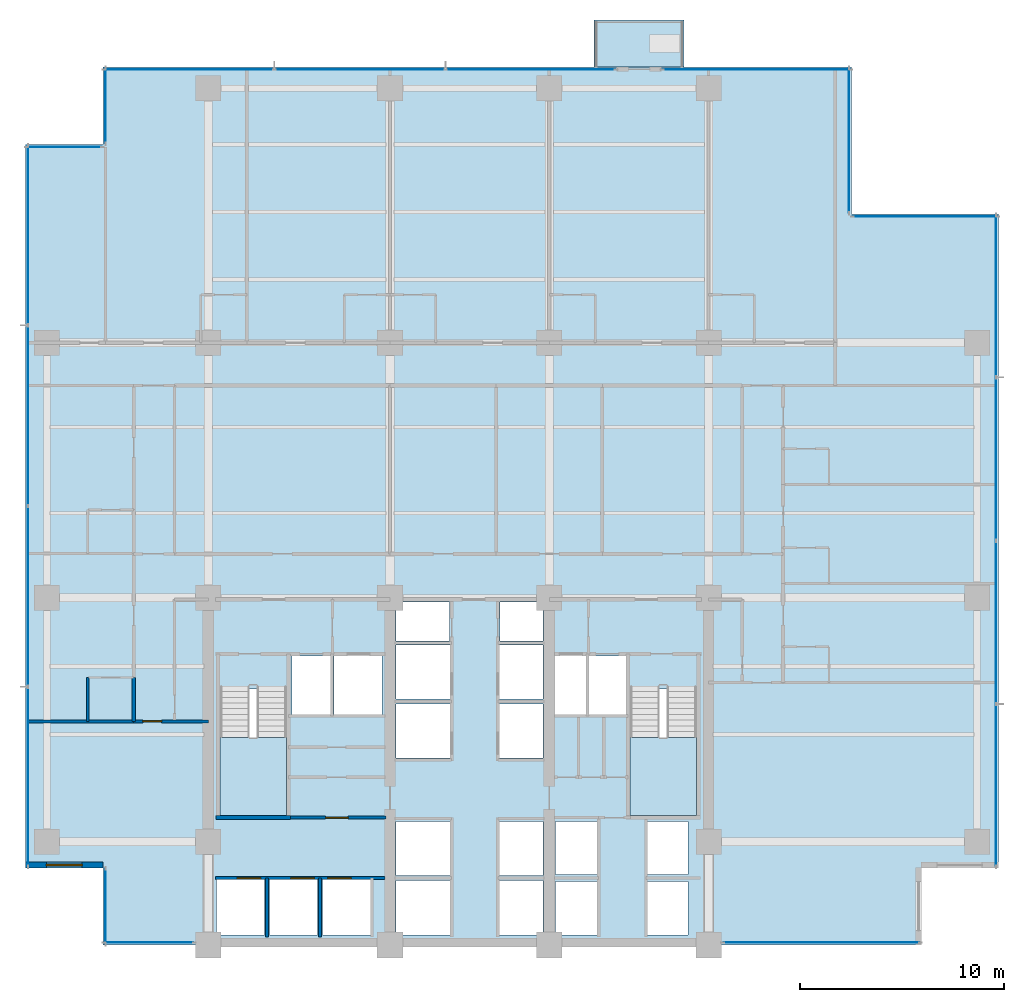
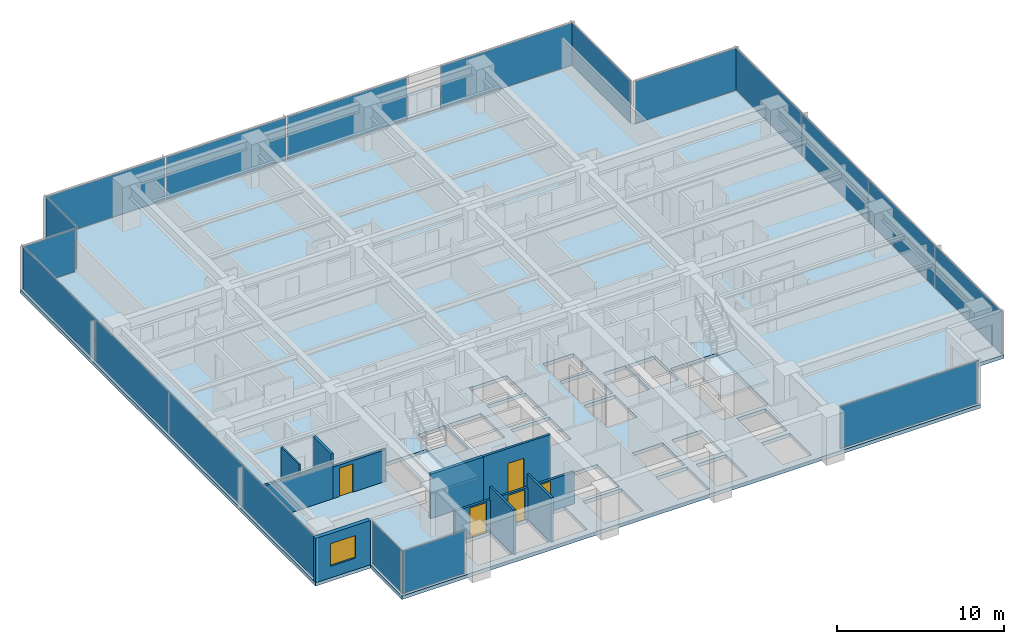
# One storey, part 7 of 17: 19 plates, 10 walls, 5 doors, 4 slabs, 1 window, 6 openings, 13 elements without a shape of their own.
"""IFC4 building model written with IfcOpenShell, lengths in metres."""

from ifc_helpers import new_model, si_unit, direction, frame, frame_2d, origin, origin_2d, place, context, subcontext, project, spatial, polyline, rectangle, outline, extrude, material, layer, layer_set, type_object, element, fill, aggregate, save


model = new_model("IFC4")

# Units and contexts
model_context = context("Model", 3, precision=1e-05, world=origin(), true_north=direction((0.0, 1.0)))
body_context = subcontext(model_context, "Body", "Model", "MODEL_VIEW")
ifc_project = project(units=[si_unit("LENGTHUNIT", "METRE"), si_unit("AREAUNIT", "SQUARE_METRE"), si_unit("VOLUMEUNIT", "CUBIC_METRE"), si_unit("PLANEANGLEUNIT", "RADIAN"), si_unit("MASSUNIT", "GRAM", prefix="KILO")], contexts=[model_context])

# Site, building, storey
site_placement = place(None, origin())
site = spatial("IfcSite", under=ifc_project, at=site_placement, CompositionType="ELEMENT")
building_placement = place(site_placement, origin())
building = spatial("IfcBuilding", under=site, at=building_placement, Name="Qalmaran Belvedere Hotel", CompositionType="ELEMENT")
storey_placement = place(building_placement, frame((0.0, 0.0, 88.199951171875)))
storey = spatial("IfcBuildingStorey", under=building, at=storey_placement, Name="L21", CompositionType="ELEMENT", Elevation=88.199951171875)

# Curtain wall, plate
ifc_material_1 = material(Name="Anodised Bronze Aluminium", Category="aluminium")
ifc_layer_1 = layer(ifc_material_1, 0.199951171875, Name="Anodised Bronze Aluminium")
ifc_layer_set_1 = layer_set([ifc_layer_1], Name="Anodised Bronze Aluminium")
curtain_wall_type = type_object("IfcCurtainWallType", Name="CW3-TOWER-LOWMID", PredefinedType="NOTDEFINED", material=ifc_layer_set_1)
curtain_wall_1_placement = place(storey_placement, origin())
curtain_wall_1 = element("IfcCurtainWall", 1, at=curtain_wall_1_placement, inside=storey, type_object=curtain_wall_type, Name="L21 Curtain Wall CW3", PredefinedType="NOTDEFINED")
ifc_material_2 = material(Name="Solar-Control Double Glazing", Category="glass")
ifc_layer_2 = layer(ifc_material_2, 0.028076171875, Name="Solar-Control Double Glazing")
ifc_layer_set_2 = layer_set([ifc_layer_2], Name="Solar-Control Double Glazing")
plate_type = type_object("IfcPlateType", Name="CWP-VISION-28", PredefinedType="CURTAIN_PANEL", material=ifc_layer_set_2)
plate_1_placement = place(storey_placement, frame((17.392578125, 3.6201171875, 0.06494140625), z_axis=(0.0, 0.0, 1.0), x_axis=(1.0, 0.0, 0.0)))
plate_1 = element("IfcPlate", 2, at=plate_1_placement, type_object=plate_type, Name="CW3 panel 1.1", PredefinedType="CURTAIN_PANEL", context=body_context, shape_type="SweptSolid", body=[
    extrude(rectangle(XDim=4.344970703125, YDim=0.028076171875, at=origin_2d()), origin(), (0.0, 0.0, 1.0), 3.110107421875),
])
aggregate(curtain_wall_1, [plate_1])

curtain_wall_2_placement = place(storey_placement, origin())
curtain_wall_2 = element("IfcCurtainWall", 3, at=curtain_wall_2_placement, inside=storey, type_object=curtain_wall_type, Name="L21 Curtain Wall CW3", PredefinedType="NOTDEFINED")
plate_2_placement = place(storey_placement, frame((50.33251953125, 3.6201171875, 0.06494140625), z_axis=(0.0, 0.0, 1.0), x_axis=(1.0, 0.0, 0.0)))
plate_2 = element("IfcPlate", 4, at=plate_2_placement, type_object=plate_type, Name="CW3 panel 1.1", PredefinedType="CURTAIN_PANEL", context=body_context, shape_type="SweptSolid", body=[
    extrude(rectangle(XDim=9.594970703125, YDim=0.028076171875, at=origin_2d()), origin(), (0.0, 0.0, 1.0), 3.110107421875),
])
aggregate(curtain_wall_2, [plate_2])

# Curtain wall, plates
curtain_wall_3_placement = place(storey_placement, origin())
curtain_wall_3 = element("IfcCurtainWall", 5, at=curtain_wall_3_placement, inside=storey, type_object=curtain_wall_type, Name="L21 Curtain Wall CW3", PredefinedType="NOTDEFINED")
plate_3_placement = place(storey_placement, frame((58.8798828125, 11.3173828125, 0.06494140625), z_axis=(0.0, 0.0, 1.0), x_axis=(0.0, 1.0, 0.0)))
plate_3 = element("IfcPlate", 6, at=plate_3_placement, type_object=plate_type, Name="CW3 panel 1.1", PredefinedType="CURTAIN_PANEL", context=body_context, shape_type="SweptSolid", body=[
    extrude(rectangle(XDim=7.89501953125, YDim=0.028076171875, at=origin_2d()), origin(), (0.0, 0.0, 1.0), 3.110107421875),
])
plate_4_placement = place(storey_placement, frame((58.8798828125, 19.300048828125, 0.06494140625), z_axis=(0.0, 0.0, 1.0), x_axis=(0.0, 1.0, 0.0)))
plate_4 = element("IfcPlate", 7, at=plate_4_placement, type_object=plate_type, Name="CW3 panel 2.1", PredefinedType="CURTAIN_PANEL", context=body_context, shape_type="SweptSolid", body=[
    extrude(rectangle(XDim=7.929931640625, YDim=0.028076171875, at=origin_2d()), origin(), (0.0, 0.0, 1.0), 3.110107421875),
])
plate_5_placement = place(storey_placement, frame((58.8798828125, 27.300048828125, 0.06494140625), z_axis=(0.0, 0.0, 1.0), x_axis=(0.0, 1.0, 0.0)))
plate_5 = element("IfcPlate", 8, at=plate_5_placement, type_object=plate_type, Name="CW3 panel 3.1", PredefinedType="CURTAIN_PANEL", context=body_context, shape_type="SweptSolid", body=[
    extrude(rectangle(XDim=7.929931640625, YDim=0.028076171875, at=origin_2d()), origin(), (0.0, 0.0, 1.0), 3.110107421875),
])
plate_6_placement = place(storey_placement, frame((58.8798828125, 35.282470703125, 0.06494140625), z_axis=(0.0, 0.0, 1.0), x_axis=(0.0, 1.0, 0.0)))
plate_6 = element("IfcPlate", 9, at=plate_6_placement, type_object=plate_type, Name="CW3 panel 4.1", PredefinedType="CURTAIN_PANEL", context=body_context, shape_type="SweptSolid", body=[
    extrude(rectangle(XDim=7.89501953125, YDim=0.028076171875, at=origin_2d()), origin(), (0.0, 0.0, 1.0), 3.110107421875),
])
aggregate(curtain_wall_3, [plate_3, plate_4, plate_5, plate_6])

# Curtain wall, plate
curtain_wall_4_placement = place(storey_placement, origin())
curtain_wall_4 = element("IfcCurtainWall", 10, at=curtain_wall_4_placement, inside=storey, type_object=curtain_wall_type, Name="L21 Curtain Wall CW3", PredefinedType="NOTDEFINED")
plate_7_placement = place(storey_placement, frame((55.39990234375, 39.179931640625, 0.06494140625), z_axis=(0.0, 0.0, 1.0), x_axis=(-1.0, 0.0, 0.0)))
plate_7 = element("IfcPlate", 11, at=plate_7_placement, type_object=plate_type, Name="CW3 panel 1.1", PredefinedType="CURTAIN_PANEL", context=body_context, shape_type="SweptSolid", body=[
    extrude(rectangle(XDim=7.06005859375, YDim=0.028076171875, at=origin_2d()), origin(), (0.0, 0.0, 1.0), 3.110107421875),
])
aggregate(curtain_wall_4, [plate_7])

curtain_wall_5_placement = place(storey_placement, origin())
curtain_wall_5 = element("IfcCurtainWall", 12, at=curtain_wall_5_placement, inside=storey, type_object=curtain_wall_type, Name="L21 Curtain Wall CW3", PredefinedType="NOTDEFINED")
plate_8_placement = place(storey_placement, frame((51.679931640625, 42.89990234375, 0.06494140625), z_axis=(0.0, 0.0, 1.0), x_axis=(0.0, 1.0, 0.0)))
plate_8 = element("IfcPlate", 13, at=plate_8_placement, type_object=plate_type, Name="CW3 panel 1.1", PredefinedType="CURTAIN_PANEL", context=body_context, shape_type="SweptSolid", body=[
    extrude(rectangle(XDim=7.06005859375, YDim=0.028076171875, at=origin_2d()), origin(), (0.0, 0.0, 1.0), 3.110107421875),
])
aggregate(curtain_wall_5, [plate_8])

# Curtain wall, plates
curtain_wall_6_placement = place(storey_placement, origin())
curtain_wall_6 = element("IfcCurtainWall", 14, at=curtain_wall_6_placement, inside=storey, type_object=curtain_wall_type, Name="L21 Curtain Wall CW3", PredefinedType="NOTDEFINED")
plate_9_placement = place(storey_placement, frame((36.0908203125, 46.3798828125, 0.06494140625), z_axis=(0.0, 0.0, 1.0), x_axis=(-1.0, 0.0, 0.0)))
plate_9 = element("IfcPlate", 15, at=plate_9_placement, type_object=plate_type, Name="CW3 panel 1.1", PredefinedType="CURTAIN_PANEL", context=body_context, shape_type="SweptSolid", body=[
    extrude(rectangle(XDim=8.2783203125, YDim=0.028076171875, at=origin_2d()), origin(), (0.0, 0.0, 1.0), 3.110107421875),
])
plate_10_placement = place(storey_placement, frame((27.72509765625, 46.3798828125, 0.06494140625), z_axis=(0.0, 0.0, 1.0), x_axis=(-1.0, 0.0, 0.0)))
plate_10 = element("IfcPlate", 16, at=plate_10_placement, type_object=plate_type, Name="CW3 panel 2.1", PredefinedType="CURTAIN_PANEL", context=body_context, shape_type="SweptSolid", body=[
    extrude(rectangle(XDim=8.313232421875, YDim=0.028076171875, at=origin_2d()), origin(), (0.0, 0.0, 1.0), 3.110107421875),
])
plate_11_placement = place(storey_placement, frame((19.359130859375, 46.3798828125, 0.06494140625), z_axis=(0.0, 0.0, 1.0), x_axis=(-1.0, 0.0, 0.0)))
plate_11 = element("IfcPlate", 17, at=plate_11_placement, type_object=plate_type, Name="CW3 panel 3.1", PredefinedType="CURTAIN_PANEL", context=body_context, shape_type="SweptSolid", body=[
    extrude(rectangle(XDim=8.2783203125, YDim=0.028076171875, at=origin_2d()), origin(), (0.0, 0.0, 1.0), 3.110107421875),
])
aggregate(curtain_wall_6, [plate_9, plate_10, plate_11])

# Curtain wall, plate
curtain_wall_7_placement = place(storey_placement, origin())
curtain_wall_7 = element("IfcCurtainWall", 18, at=curtain_wall_7_placement, inside=storey, type_object=curtain_wall_type, Name="L21 Curtain Wall CW3", PredefinedType="NOTDEFINED")
plate_12_placement = place(storey_placement, frame((47.14990234375, 46.3798828125, 0.06494140625), z_axis=(0.0, 0.0, 1.0), x_axis=(-1.0, 0.0, 0.0)))
plate_12 = element("IfcPlate", 19, at=plate_12_placement, type_object=plate_type, Name="CW3 panel 1.1", PredefinedType="CURTAIN_PANEL", context=body_context, shape_type="SweptSolid", body=[
    extrude(rectangle(XDim=9.159912109375, YDim=0.028076171875, at=origin_2d()), origin(), (0.0, 0.0, 1.0), 3.110107421875),
])
aggregate(curtain_wall_7, [plate_12])

curtain_wall_8_placement = place(storey_placement, origin())
curtain_wall_8 = element("IfcCurtainWall", 20, at=curtain_wall_8_placement, inside=storey, type_object=curtain_wall_type, Name="L21 Curtain Wall CW3", PredefinedType="NOTDEFINED")
plate_13_placement = place(storey_placement, frame((15.27001953125, 44.60009765625, 0.06494140625), z_axis=(0.0, 0.0, 1.0), x_axis=(0.0, -1.0, 0.0)))
plate_13 = element("IfcPlate", 21, at=plate_13_placement, type_object=plate_type, Name="CW3 panel 1.1", PredefinedType="CURTAIN_PANEL", context=body_context, shape_type="SweptSolid", body=[
    extrude(rectangle(XDim=3.659912109375, YDim=0.028076171875, at=origin_2d()), origin(), (0.0, 0.0, 1.0), 3.110107421875),
])
aggregate(curtain_wall_8, [plate_13])

curtain_wall_9_placement = place(storey_placement, origin())
curtain_wall_9 = element("IfcCurtainWall", 22, at=curtain_wall_9_placement, inside=storey, type_object=curtain_wall_type, Name="L21 Curtain Wall CW3", PredefinedType="NOTDEFINED")
plate_14_placement = place(storey_placement, frame((13.25, 42.580078125, 0.06494140625), z_axis=(0.0, 0.0, 1.0), x_axis=(-1.0, 0.0, 0.0)))
plate_14 = element("IfcPlate", 23, at=plate_14_placement, type_object=plate_type, Name="CW3 panel 1.1", PredefinedType="CURTAIN_PANEL", context=body_context, shape_type="SweptSolid", body=[
    extrude(rectangle(XDim=3.659912109375, YDim=0.028076171875, at=origin_2d()), origin(), (0.0, 0.0, 1.0), 3.110107421875),
])
aggregate(curtain_wall_9, [plate_14])

# Curtain wall, plates
curtain_wall_10_placement = place(storey_placement, origin())
curtain_wall_10 = element("IfcCurtainWall", 24, at=curtain_wall_10_placement, inside=storey, type_object=curtain_wall_type, Name="L21 Curtain Wall CW3", PredefinedType="NOTDEFINED")
plate_15_placement = place(storey_placement, frame((11.469970703125, 38.257568359375, 0.06494140625), z_axis=(0.0, 0.0, 1.0), x_axis=(0.0, -1.0, 0.0)))
plate_15 = element("IfcPlate", 25, at=plate_15_placement, type_object=plate_type, Name="CW3 panel 1.1", PredefinedType="CURTAIN_PANEL", context=body_context, shape_type="SweptSolid", body=[
    extrude(rectangle(XDim=8.7451171875, YDim=0.028076171875, at=origin_2d()), origin(), (0.0, 0.0, 1.0), 3.110107421875),
])
plate_16_placement = place(storey_placement, frame((11.469970703125, 29.425048828125, 0.06494140625), z_axis=(0.0, 0.0, 1.0), x_axis=(0.0, -1.0, 0.0)))
plate_16 = element("IfcPlate", 26, at=plate_16_placement, type_object=plate_type, Name="CW3 panel 2.1", PredefinedType="CURTAIN_PANEL", context=body_context, shape_type="SweptSolid", body=[
    extrude(rectangle(XDim=8.780029296875, YDim=0.028076171875, at=origin_2d()), origin(), (0.0, 0.0, 1.0), 3.110107421875),
])
plate_17_placement = place(storey_placement, frame((11.469970703125, 20.574951171875, 0.06494140625), z_axis=(0.0, 0.0, 1.0), x_axis=(0.0, -1.0, 0.0)))
plate_17 = element("IfcPlate", 27, at=plate_17_placement, type_object=plate_type, Name="CW3 panel 3.1", PredefinedType="CURTAIN_PANEL", context=body_context, shape_type="SweptSolid", body=[
    extrude(rectangle(XDim=8.780029296875, YDim=0.028076171875, at=origin_2d()), origin(), (0.0, 0.0, 1.0), 3.110107421875),
])
plate_18_placement = place(storey_placement, frame((11.469970703125, 11.742431640625, 0.06494140625), z_axis=(0.0, 0.0, 1.0), x_axis=(0.0, -1.0, 0.0)))
plate_18 = element("IfcPlate", 28, at=plate_18_placement, type_object=plate_type, Name="CW3 panel 4.1", PredefinedType="CURTAIN_PANEL", context=body_context, shape_type="SweptSolid", body=[
    extrude(rectangle(XDim=8.7451171875, YDim=0.028076171875, at=origin_2d()), origin(), (0.0, 0.0, 1.0), 3.110107421875),
])
aggregate(curtain_wall_10, [plate_15, plate_16, plate_17, plate_18])

# Curtain wall, plate
curtain_wall_11_placement = place(storey_placement, origin())
curtain_wall_11 = element("IfcCurtainWall", 29, at=curtain_wall_11_placement, inside=storey, type_object=curtain_wall_type, Name="L21 Curtain Wall CW3", PredefinedType="NOTDEFINED")
plate_19_placement = place(storey_placement, frame((15.27001953125, 5.39990234375, 0.06494140625), z_axis=(0.0, 0.0, 1.0), x_axis=(0.0, -1.0, 0.0)))
plate_19 = element("IfcPlate", 30, at=plate_19_placement, type_object=plate_type, Name="CW3 panel 1.1", PredefinedType="CURTAIN_PANEL", context=body_context, shape_type="SweptSolid", body=[
    extrude(rectangle(XDim=3.659912109375, YDim=0.028076171875, at=origin_2d()), origin(), (0.0, 0.0, 1.0), 3.110107421875),
])
aggregate(curtain_wall_11, [plate_19])

# Slab
ifc_material_3 = material(Name="Concrete C40/50", Category="concrete")
ifc_layer_3 = layer(ifc_material_3, 0.219970703125, Name="Concrete C40/50")
ifc_layer_set_3 = layer_set([ifc_layer_3], Name="Concrete C40/50")
slab_type_1 = type_object("IfcSlabType", Name="SLB-BAL-220", PredefinedType="USERDEFINED", material=ifc_layer_set_3)
slab_1_placement = place(storey_placement, frame((0.0, 0.0, -0.219970703125)))
element("IfcSlab", 31, at=slab_1_placement, inside=storey, type_object=slab_type_1, Name="L21 Planted Tree Balcony Slab 1", ObjectType="BALCONY", PredefinedType="USERDEFINED", context=body_context, shape_type="SweptSolid", body=[
    extrude(outline(polyline([(39.199951171875, 46.5), (43.60009765625, 46.5), (43.60009765625, 48.800048828125), (39.199951171875, 48.800048828125), (39.199951171875, 46.5)])), origin(), (0.0, 0.0, 1.0), 0.219970703125),
])

# Stair, slab
stair_type_1 = type_object("IfcStairType", Name="STR-ST-1-1450-R1750", PredefinedType="HALF_TURN_STAIR", material=ifc_material_3)
stair_1_placement = place(storey_placement, origin())
stair_1 = element("IfcStair", 32, at=stair_1_placement, inside=storey, type_object=stair_type_1, Name="L21 West Core Exit Stair ST-1", PredefinedType="HALF_TURN_STAIR")
ifc_layer_4 = layer(ifc_material_3, 0.199951171875, Name="Concrete C40/50")
ifc_layer_set_4 = layer_set([ifc_layer_4], Name="Concrete C40/50")
slab_type_2 = type_object("IfcSlabType", Name="SLB-STAIR-LANDING-200", PredefinedType="LANDING", material=ifc_layer_set_4)
slab_2_placement = place(storey_placement, frame((0.0, 0.0, 1.550048828125)))
slab_2 = element("IfcSlab", 33, at=slab_2_placement, type_object=slab_type_2, Name="ST-1 landing 1", PredefinedType="LANDING", context=body_context, shape_type="SweptSolid", body=[
    extrude(outline(polyline([(20.8798828125, 13.669921875), (20.8798828125, 9.85009765625), (24.1201171875, 9.85009765625), (24.1201171875, 13.669921875), (20.8798828125, 13.669921875)])), origin(), (0.0, 0.0, 1.0), 0.199951171875),
])
aggregate(stair_1, [slab_2])

stair_type_2 = type_object("IfcStairType", Name="STR-ST-2-1450-R1750", PredefinedType="HALF_TURN_STAIR", material=ifc_material_3)
stair_2_placement = place(storey_placement, origin())
stair_2 = element("IfcStair", 34, at=stair_2_placement, inside=storey, type_object=stair_type_2, Name="L21 East Core Exit Stair ST-2", PredefinedType="HALF_TURN_STAIR")
slab_3_placement = place(storey_placement, frame((0.0, 0.0, 1.550048828125)))
slab_3 = element("IfcSlab", 35, at=slab_3_placement, type_object=slab_type_2, Name="ST-2 landing 1", PredefinedType="LANDING", context=body_context, shape_type="SweptSolid", body=[
    extrude(outline(polyline([(40.9599609375, 13.669921875), (40.9599609375, 9.85009765625), (44.199951171875, 9.85009765625), (44.199951171875, 13.669921875), (40.9599609375, 13.669921875)])), origin(), (0.0, 0.0, 1.0), 0.199951171875),
])
aggregate(stair_2, [slab_3])

# Slab
ifc_layer_5 = layer(ifc_material_3, 0.260009765625, Name="Concrete C40/50")
ifc_layer_set_5 = layer_set([ifc_layer_5], Name="Concrete C40/50")
slab_type_3 = type_object("IfcSlabType", Name="SLB-Z2-260", PredefinedType="FLOOR", material=ifc_layer_set_5)
slab_4_placement = place(storey_placement, frame((0.0, 0.0, -0.260009765625)))
element("IfcSlab", 36, at=slab_4_placement, inside=storey, type_object=slab_type_3, Name="L21 Structural Floor Slab", PredefinedType="FLOOR", context=body_context, shape_type="SweptSolid", body=[
    extrude(outline(polyline([(15.14990234375, 3.5), (55.199951171875, 3.5), (55.199951171875, 7.300048828125), (59.0, 7.300048828125), (59.0, 39.300048828125), (51.800048828125, 39.300048828125), (51.800048828125, 46.5), (15.14990234375, 46.5), (15.14990234375, 42.699951171875), (11.35009765625, 42.699951171875), (11.35009765625, 7.300048828125), (15.14990234375, 7.300048828125), (15.14990234375, 3.5)]), holes=[polyline([(20.8798828125, 9.85009765625), (24.1201171875, 9.85009765625), (24.1201171875, 16.0400390625), (20.8798828125, 16.0400390625), (20.8798828125, 9.85009765625)]), polyline([(40.9599609375, 9.85009765625), (44.199951171875, 9.85009765625), (44.199951171875, 16.0400390625), (40.9599609375, 16.0400390625), (40.9599609375, 9.85009765625)]), polyline([(29.4951171875, 4.0), (32.14990234375, 4.0), (32.14990234375, 6.64990234375), (29.4951171875, 6.64990234375), (29.4951171875, 4.0)]), polyline([(29.4951171875, 6.89990234375), (32.14990234375, 6.89990234375), (32.14990234375, 9.550048828125), (29.4951171875, 9.550048828125), (29.4951171875, 6.89990234375)]), polyline([(34.550048828125, 4.0), (36.705078125, 4.0), (36.705078125, 6.64990234375), (34.550048828125, 6.64990234375), (34.550048828125, 4.0)]), polyline([(34.550048828125, 6.89990234375), (36.705078125, 6.89990234375), (36.705078125, 9.550048828125), (34.550048828125, 9.550048828125), (34.550048828125, 6.89990234375)]), polyline([(29.4951171875, 12.64990234375), (32.14990234375, 12.64990234375), (32.14990234375, 15.300048828125), (29.4951171875, 15.300048828125), (29.4951171875, 12.64990234375)]), polyline([(29.4951171875, 15.550048828125), (32.14990234375, 15.550048828125), (32.14990234375, 18.199951171875), (29.4951171875, 18.199951171875), (29.4951171875, 15.550048828125)]), polyline([(34.550048828125, 12.64990234375), (36.705078125, 12.64990234375), (36.705078125, 15.300048828125), (34.550048828125, 15.300048828125), (34.550048828125, 12.64990234375)]), polyline([(34.550048828125, 15.550048828125), (36.705078125, 15.550048828125), (36.705078125, 18.199951171875), (34.550048828125, 18.199951171875), (34.550048828125, 15.550048828125)]), polyline([(37.300048828125, 4.0), (39.35009765625, 4.0), (39.35009765625, 6.60009765625), (37.300048828125, 6.60009765625), (37.300048828125, 4.0)]), polyline([(37.300048828125, 6.949951171875), (39.35009765625, 6.949951171875), (39.35009765625, 9.550048828125), (37.300048828125, 9.550048828125), (37.300048828125, 6.949951171875)]), polyline([(41.800048828125, 4.0), (43.800048828125, 4.0), (43.800048828125, 6.60009765625), (41.800048828125, 6.60009765625), (41.800048828125, 4.0)]), polyline([(41.800048828125, 6.949951171875), (43.800048828125, 6.949951171875), (43.800048828125, 9.550048828125), (41.800048828125, 9.550048828125), (41.800048828125, 6.949951171875)]), polyline([(20.699951171875, 4.0), (23.050048828125, 4.0), (23.050048828125, 6.699951171875), (20.699951171875, 6.699951171875), (20.699951171875, 4.0)]), polyline([(23.300048828125, 4.0), (25.64990234375, 4.0), (25.64990234375, 6.699951171875), (23.300048828125, 6.699951171875), (23.300048828125, 4.0)]), polyline([(25.89990234375, 4.0), (28.25, 4.0), (28.25, 6.699951171875), (25.89990234375, 6.699951171875), (25.89990234375, 4.0)]), polyline([(24.39990234375, 14.800048828125), (26.300048828125, 14.800048828125), (26.300048828125, 17.64990234375), (24.39990234375, 17.64990234375), (24.39990234375, 14.800048828125)]), polyline([(38.949951171875, 14.800048828125), (40.820068359375, 14.800048828125), (40.820068359375, 17.64990234375), (38.949951171875, 17.64990234375), (38.949951171875, 14.800048828125)]), polyline([(26.449951171875, 14.800048828125), (28.800048828125, 14.800048828125), (28.800048828125, 17.64990234375), (26.449951171875, 17.64990234375), (26.449951171875, 14.800048828125)]), polyline([(37.25, 14.800048828125), (38.800048828125, 14.800048828125), (38.800048828125, 17.64990234375), (37.25, 17.64990234375), (37.25, 14.800048828125)]), polyline([(29.4951171875, 18.3798828125), (32.1201171875, 18.3798828125), (32.1201171875, 20.300048828125), (29.4951171875, 20.300048828125), (29.4951171875, 18.3798828125)]), polyline([(34.580078125, 18.3798828125), (36.705078125, 18.3798828125), (36.705078125, 20.300048828125), (34.580078125, 20.300048828125), (34.580078125, 18.3798828125)])]), origin(), (0.0, 0.0, 1.0), 0.260009765625),
])

# Wall, opening, window
ifc_material_4 = material(Name="Anodised Bronze Cladding")
ifc_layer_6 = layer(ifc_material_4, 0.280029296875, Name="Anodised Bronze Cladding")
ifc_layer_set_6 = layer_set([ifc_layer_6], Name="Anodised Bronze Cladding")
wall_type_1 = type_object("IfcWallType", Name="WL-EXT-BRNZ-280", PredefinedType="SOLIDWALL", material=ifc_layer_set_6)
wall_1_placement = place(storey_placement, frame((11.35009765625, 7.419921875, 0.0), z_axis=(0.0, 0.0, 1.0), x_axis=(1.0, 0.0, 0.0)))
wall_1 = element("IfcWall", 37, at=wall_1_placement, inside=storey, type_object=wall_type_1, Name="L21 Corner Notch Wall 10", PredefinedType="SOLIDWALL", context=body_context, shape_type="SweptSolid", body=[
    extrude(rectangle(XDim=3.7998046875, YDim=0.280029296875, at=frame_2d((1.89990234375, 0.0))), origin(), (0.0, 0.0, 1.0), 3.239990234375),
])
opening_1_placement = place(wall_1_placement, frame((1.02490234375, 0.0, 0.85009765625)))
opening_1 = element("IfcOpeningElement", 38, at=opening_1_placement, cuts=wall_1, Name="Opening W-N17", PredefinedType="OPENING", context=body_context, shape_type="SweptSolid", body=[
    extrude(rectangle(XDim=1.75, YDim=1.64990234375, at=frame_2d((0.875, 0.824951171875))), frame((0.0, 0.14990234375, 0.0), z_axis=(0.0, -1.0, 0.0), x_axis=(1.0, 0.0, 0.0)), (0.0, 0.0, 1.0), 0.300048828125),
])
window_type = type_object("IfcWindowType", Name="WN-NTC-1750X1650", PartitioningType="SINGLE_PANEL", PredefinedType="WINDOW", material=ifc_material_2)
window_placement = place(opening_1_placement, origin())
window = element("IfcWindow", 39, at=window_placement, inside=storey, type_object=window_type, Name="L21 Corner Notch Window 10", OverallHeight=1.64990234375, OverallWidth=1.75, PartitioningType="SINGLE_PANEL", PredefinedType="WINDOW", context=body_context, shape_type="SweptSolid", body=[
    extrude(rectangle(XDim=1.75, YDim=1.64990234375, at=frame_2d((0.875, 0.824951171875))), frame((0.0, 0.030029296875, 0.0), z_axis=(0.0, -1.0, 0.0), x_axis=(1.0, 0.0, 0.0)), (0.0, 0.0, 1.0), 0.06005859375),
])
fill(opening_1, window)

# Walls
ifc_material_5 = material(Name="Moisture-Resistant Gypsum")
ifc_layer_7 = layer(ifc_material_5, 0.1201171875, Name="Moisture-Resistant Gypsum")
ifc_layer_set_7 = layer_set([ifc_layer_7], Name="Moisture-Resistant Gypsum")
wall_type_2 = type_object("IfcWallType", Name="WL-INT-120-BATH", PredefinedType="PARTITIONING", material=ifc_layer_set_7)
wall_2_placement = place(storey_placement, frame((14.39990234375, 14.449951171875, 0.0), z_axis=(0.0, 0.0, 1.0), x_axis=(0.0, 1.0, 0.0)))
element("IfcWall", 40, at=wall_2_placement, inside=storey, type_object=wall_type_2, Name="L21 Partition WL-L21-WBS00", PredefinedType="PARTITIONING", context=body_context, shape_type="SweptSolid", body=[
    extrude(rectangle(XDim=2.150146484375, YDim=0.1201171875, at=frame_2d((1.0751953125, 0.0))), origin(), (0.0, 0.0, 1.0), 3.239990234375),
])
ifc_material_6 = material(Name="Gypsum Stud Partition")
ifc_layer_8 = layer(ifc_material_6, 0.14990234375, Name="Gypsum Stud Partition")
ifc_layer_set_8 = layer_set([ifc_layer_8], Name="Gypsum Stud Partition")
wall_type_3 = type_object("IfcWallType", Name="WL-INT-150-EI120", PredefinedType="PARTITIONING", material=ifc_layer_set_8)
for number, where, z_axis, x_axis, name in (
    (41, (23.179931640625, 3.89990234375, 0.0), (0.0, 0.0, 1.0), (0.0, 1.0, 0.0), "L21 Partition WL-POM1-L21"),
    (42, (25.780029296875, 3.89990234375, 0.0), (0.0, 0.0, 1.0), (0.0, 1.0, 0.0), "L21 Partition WL-POM2-L21"),
):
    element("IfcWall", number, at=place(storey_placement, frame(where, z_axis=z_axis, x_axis=x_axis)), inside=storey, type_object=wall_type_3, Name=name, PredefinedType="PARTITIONING", context=body_context, shape_type="SweptSolid", body=[
        extrude(rectangle(XDim=2.880126953125, YDim=0.14990234375, at=frame_2d((1.43994140625, 0.0))), origin(), (0.0, 0.0, 1.0), 3.239990234375),
    ])

# Wall, openings, doors
ifc_layer_9 = layer(ifc_material_6, 0.159912109375, Name="Gypsum Stud Partition")
ifc_layer_set_9 = layer_set([ifc_layer_9], Name="Gypsum Stud Partition")
wall_type_4 = type_object("IfcWallType", Name="WL-INT-160-EI120", PredefinedType="PARTITIONING", material=ifc_layer_set_9)
wall_3_placement = place(storey_placement, frame((20.64990234375, 6.780029296875, 0.0), z_axis=(0.0, 0.0, 1.0), x_axis=(1.0, 0.0, 0.0)))
wall_3 = element("IfcWall", 43, at=wall_3_placement, inside=storey, type_object=wall_type_4, Name="L21 Partition WL-POS-L21", PredefinedType="PARTITIONING", context=body_context, shape_type="SweptSolid", body=[
    extrude(rectangle(XDim=8.300048828125, YDim=0.159912109375, at=frame_2d((4.14990234375, 0.0))), origin(), (0.0, 0.0, 1.0), 2.31298828125),
])
opening_2_placement = place(wall_3_placement, frame((3.69482421875, 0.0, 0.0)))
opening_2 = element("IfcOpeningElement", 44, at=opening_2_placement, cuts=wall_3, Name="Opening LD-PO", PredefinedType="OPENING", context=body_context, shape_type="SweptSolid", body=[
    extrude(rectangle(XDim=1.14990234375, YDim=2.199951171875, at=frame_2d((0.574951171875, 1.10009765625))), frame((0.0, 0.08984375, 0.0), z_axis=(0.0, -1.0, 0.0), x_axis=(1.0, 0.0, 0.0)), (0.0, 0.0, 1.0), 0.179931640625),
])
opening_3_placement = place(wall_3_placement, frame((5.4921875, 0.0, 0.0)))
opening_3 = element("IfcOpeningElement", 45, at=opening_3_placement, cuts=wall_3, Name="Opening LD-PO", PredefinedType="OPENING", context=body_context, shape_type="SweptSolid", body=[
    extrude(rectangle(XDim=1.14990234375, YDim=2.199951171875, at=frame_2d((0.574951171875, 1.10009765625))), frame((0.0, 0.08984375, 0.0), z_axis=(0.0, -1.0, 0.0), x_axis=(1.0, 0.0, 0.0)), (0.0, 0.0, 1.0), 0.179931640625),
])
opening_4_placement = place(wall_3_placement, frame((1.058837890625, 0.0, 0.0)))
opening_4 = element("IfcOpeningElement", 46, at=opening_4_placement, cuts=wall_3, Name="Opening LD-PO", PredefinedType="OPENING", context=body_context, shape_type="SweptSolid", body=[
    extrude(rectangle(XDim=1.14990234375, YDim=2.199951171875, at=frame_2d((0.574951171875, 1.10009765625))), frame((0.0, 0.08984375, 0.0), z_axis=(0.0, -1.0, 0.0), x_axis=(1.0, 0.0, 0.0)), (0.0, 0.0, 1.0), 0.179931640625),
])
door_type_1 = type_object("IfcDoorType", Name="DR-LIFT-PO-1150X2200", OperationType="DOUBLE_DOOR_SLIDING", PredefinedType="DOOR", material=ifc_material_1)
door_1_placement = place(opening_2_placement, origin())
door_1 = element("IfcDoor", 47, at=door_1_placement, inside=storey, type_object=door_type_1, Name="L21 PO1 Shuttle Landing Door", OperationType="DOUBLE_DOOR_SLIDING", OverallHeight=2.199951171875, OverallWidth=1.14990234375, PredefinedType="DOOR", context=body_context, shape_type="SweptSolid", body=[
    extrude(rectangle(XDim=1.14990234375, YDim=2.199951171875, at=frame_2d((0.574951171875, 1.10009765625))), frame((0.0, 0.02490234375, 0.0), z_axis=(0.0, -1.0, 0.0), x_axis=(1.0, 0.0, 0.0)), (0.0, 0.0, 1.0), 0.050048828125),
])
fill(opening_2, door_1)
door_2_placement = place(opening_3_placement, origin())
door_2 = element("IfcDoor", 48, at=door_2_placement, inside=storey, type_object=door_type_1, Name="L21 PO2 Shuttle Landing Door", OperationType="DOUBLE_DOOR_SLIDING", OverallHeight=2.199951171875, OverallWidth=1.14990234375, PredefinedType="DOOR", context=body_context, shape_type="SweptSolid", body=[
    extrude(rectangle(XDim=1.14990234375, YDim=2.199951171875, at=frame_2d((0.574951171875, 1.10009765625))), frame((0.0, 0.02490234375, 0.0), z_axis=(0.0, -1.0, 0.0), x_axis=(1.0, 0.0, 0.0)), (0.0, 0.0, 1.0), 0.050048828125),
])
fill(opening_3, door_2)
door_3_placement = place(opening_4_placement, origin())
door_3 = element("IfcDoor", 49, at=door_3_placement, inside=storey, type_object=door_type_1, Name="L21 PO3 Shuttle Landing Door", OperationType="DOUBLE_DOOR_SLIDING", OverallHeight=2.199951171875, OverallWidth=1.14990234375, PredefinedType="DOOR", context=body_context, shape_type="SweptSolid", body=[
    extrude(rectangle(XDim=1.14990234375, YDim=2.199951171875, at=frame_2d((0.574951171875, 1.10009765625))), frame((0.0, 0.02490234375, 0.0), z_axis=(0.0, -1.0, 0.0), x_axis=(1.0, 0.0, 0.0)), (0.0, 0.0, 1.0), 0.050048828125),
])
fill(opening_4, door_3)

# Wall, opening, door
wall_4_placement = place(storey_placement, frame((24.199951171875, 9.739990234375, 0.0), z_axis=(0.0, 0.0, 1.0), x_axis=(1.0, 0.0, 0.0)))
wall_4 = element("IfcWall", 50, at=wall_4_placement, inside=storey, type_object=wall_type_4, Name="L21 Partition WL-PON-L21", PredefinedType="PARTITIONING", context=body_context, shape_type="SweptSolid", body=[
    extrude(rectangle(XDim=4.800048828125, YDim=0.159912109375, at=frame_2d((2.39990234375, 0.0))), origin(), (0.0, 0.0, 1.0), 3.239990234375),
])
opening_5_placement = place(wall_4_placement, frame((1.85009765625, 0.0, 0.0)))
opening_5 = element("IfcOpeningElement", 51, at=opening_5_placement, cuts=wall_4, Name="Opening FD90", PredefinedType="OPENING", context=body_context, shape_type="SweptSolid", body=[
    extrude(rectangle(XDim=1.10009765625, YDim=2.14990234375, at=frame_2d((0.550048828125, 1.074951171875))), frame((0.0, 0.08984375, 0.0), z_axis=(0.0, -1.0, 0.0), x_axis=(1.0, 0.0, 0.0)), (0.0, 0.0, 1.0), 0.179931640625),
])
ifc_material_7 = material(Name="Steel S355JR", Category="steel")
door_type_2 = type_object("IfcDoorType", Name="DR-FD90-1100X2150", OperationType="NOTDEFINED", PredefinedType="DOOR", material=ifc_material_7)
door_4_placement = place(opening_5_placement, origin())
door_4 = element("IfcDoor", 52, at=door_4_placement, inside=storey, type_object=door_type_2, Name="L21 Shuttle Lobby Passage Door", OperationType="SINGLE_SWING_LEFT", OverallHeight=2.14990234375, OverallWidth=1.10009765625, PredefinedType="DOOR", context=body_context, shape_type="SweptSolid", body=[
    extrude(rectangle(XDim=1.10009765625, YDim=2.14990234375, at=frame_2d((0.550048828125, 1.074951171875))), frame((0.0, 0.02490234375, 0.0), z_axis=(0.0, -1.0, 0.0), x_axis=(1.0, 0.0, 0.0)), (0.0, 0.0, 1.0), 0.050048828125),
])
fill(opening_5, door_4)

ifc_layer_10 = layer(ifc_material_6, 0.159912109375, Name="Gypsum Stud Partition")
ifc_layer_set_10 = layer_set([ifc_layer_10], Name="Gypsum Stud Partition")
wall_type_5 = type_object("IfcWallType", Name="WL-INT-160-EI60", PredefinedType="PARTITIONING", material=ifc_layer_set_10)
wall_5_placement = place(storey_placement, frame((16.64990234375, 14.449951171875, 0.0), z_axis=(0.0, 0.0, 1.0), x_axis=(1.0, 0.0, 0.0)))
wall_5 = element("IfcWall", 53, at=wall_5_placement, inside=storey, type_object=wall_type_5, Name="L21 Partition WL-L21-SWRL", PredefinedType="PARTITIONING", context=body_context, shape_type="SweptSolid", body=[
    extrude(rectangle(XDim=3.650146484375, YDim=0.159912109375, at=frame_2d((1.8251953125, 0.0))), origin(), (0.0, 0.0, 1.0), 2.31298828125),
])
opening_6_placement = place(wall_5_placement, frame((1.369873046875, 0.0, 0.0), z_axis=(0.0, 0.0, 1.0), x_axis=(-1.0, 0.0, 0.0)))
opening_6 = element("IfcOpeningElement", 54, at=opening_6_placement, cuts=wall_5, Name="Opening FD60S1", PredefinedType="OPENING", context=body_context, shape_type="SweptSolid", body=[
    extrude(rectangle(XDim=0.919921875, YDim=2.080078125, at=frame_2d((0.4599609375, 1.0400390625))), frame((0.0, 0.08984375, 0.0), z_axis=(0.0, -1.0, 0.0), x_axis=(1.0, 0.0, 0.0)), (0.0, 0.0, 1.0), 0.179931640625),
])
ifc_material_8 = material(Name="Engineered Oak Veneer")
door_type_3 = type_object("IfcDoorType", Name="DR-FD60S-920X2080", OperationType="NOTDEFINED", PredefinedType="DOOR", material=ifc_material_8)
door_5_placement = place(opening_6_placement, origin())
door_5 = element("IfcDoor", 55, at=door_5_placement, inside=storey, type_object=door_type_3, Name="L21 SW Lounge Door", OperationType="SINGLE_SWING_LEFT", OverallHeight=2.080078125, OverallWidth=0.919921875, PredefinedType="DOOR", context=body_context, shape_type="SweptSolid", body=[
    extrude(rectangle(XDim=0.919921875, YDim=2.080078125, at=frame_2d((0.4599609375, 1.0400390625))), frame((0.0, 0.02490234375, 0.0), z_axis=(0.0, -1.0, 0.0), x_axis=(1.0, 0.0, 0.0)), (0.0, 0.0, 1.0), 0.050048828125),
])
fill(opening_6, door_5)

# Walls
wall_6_placement = place(storey_placement, frame((11.469970703125, 14.449951171875, 0.0), z_axis=(0.0, 0.0, 1.0), x_axis=(1.0, 0.0, 0.0)))
element("IfcWall", 56, at=wall_6_placement, inside=storey, type_object=wall_type_5, Name="L21 Partition WL-L21-WBOT", PredefinedType="PARTITIONING", context=body_context, shape_type="SweptSolid", body=[
    extrude(rectangle(XDim=5.179931640625, YDim=0.159912109375, at=frame_2d((2.58984375, 0.0))), origin(), (0.0, 0.0, 1.0), 2.60302734375),
])
ifc_layer_11 = layer(ifc_material_6, 0.179931640625, Name="Gypsum Stud Partition")
ifc_layer_set_11 = layer_set([ifc_layer_11], Name="Gypsum Stud Partition")
wall_type_6 = type_object("IfcWallType", Name="WL-INT-180-EI60", PredefinedType="PARTITIONING", material=ifc_layer_set_11)
wall_7_placement = place(storey_placement, frame((16.64990234375, 14.449951171875, 0.0), z_axis=(0.0, 0.0, 1.0), x_axis=(0.0, 1.0, 0.0)))
element("IfcWall", 57, at=wall_7_placement, inside=storey, type_object=wall_type_6, Name="L21 Partition WL-L21-WBC00", PredefinedType="PARTITIONING", context=body_context, shape_type="SweptSolid", body=[
    extrude(rectangle(XDim=2.150146484375, YDim=0.179931640625, at=frame_2d((1.0751953125, 0.0))), origin(), (0.0, 0.0, 1.0), 3.239990234375),
])
ifc_material_9 = material(Name="Concrete C50/60", Category="concrete")
ifc_layer_12 = layer(ifc_material_9, 0.2099609375, Name="Concrete C50/60")
ifc_layer_set_12 = layer_set([ifc_layer_12], Name="Concrete C50/60")
wall_type_7 = type_object("IfcWallType", Name="WL-STAIR-210-C50", PredefinedType="SHEAR", material=ifc_layer_set_12)
wall_8_placement = place(storey_placement, frame((20.669921875, 9.7451171875, 0.0), z_axis=(0.0, 0.0, 1.0), x_axis=(1.0, 0.0, 0.0)))
element("IfcWall", 58, at=wall_8_placement, inside=storey, type_object=wall_type_7, Name="L21 Stair ST-1 South Bearing Wall", PredefinedType="SHEAR", context=body_context, shape_type="SweptSolid", body=[
    extrude(rectangle(XDim=3.66015625, YDim=0.2099609375, at=frame_2d((1.830078125, 0.0))), origin(), (0.0, 0.0, 1.0), 3.239990234375),
])

save(model, "model.ifc")
